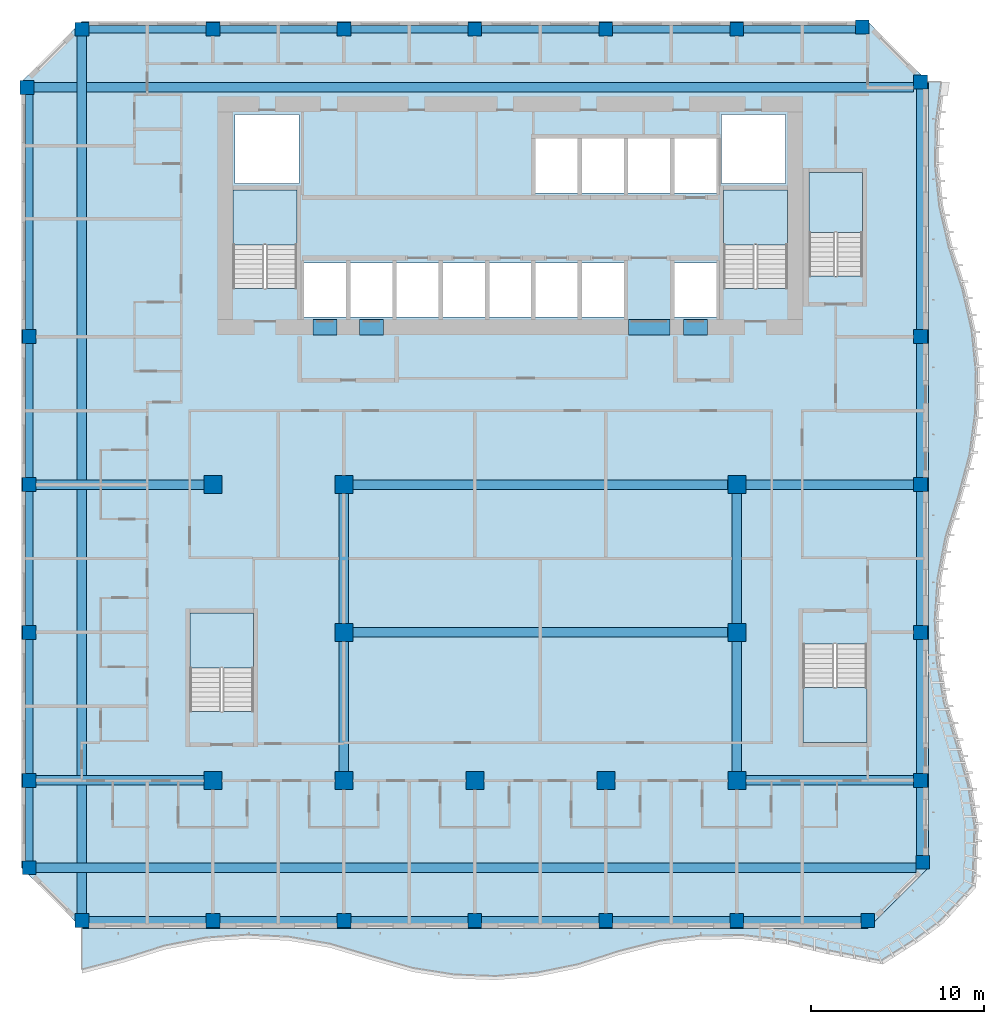
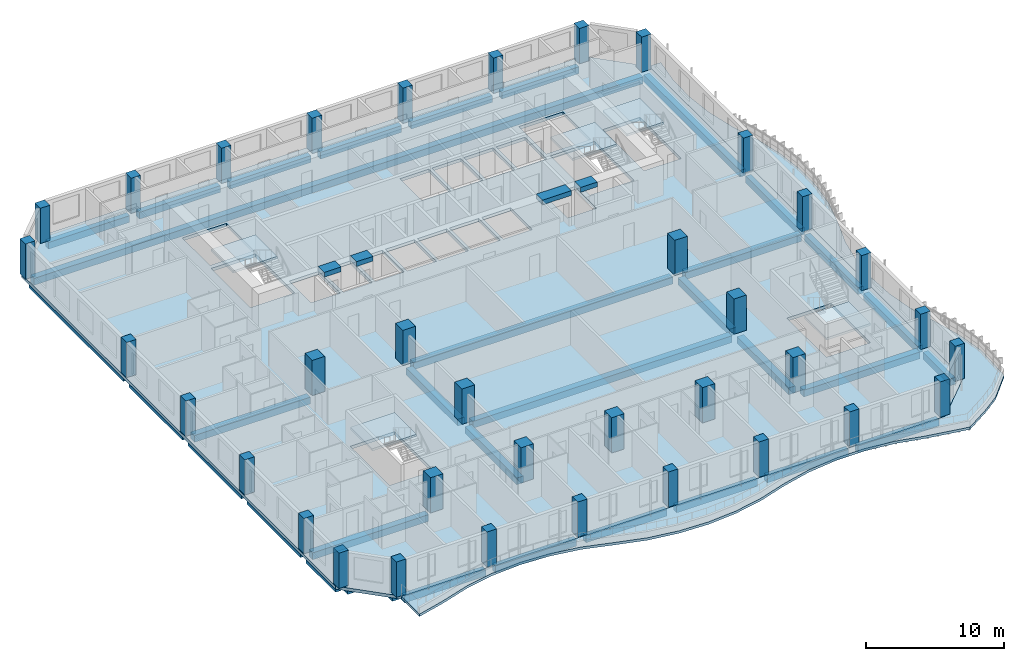
# One storey, part 1 of 24: 39 beams, 36 columns, 7 slabs, 5 elements without a shape of their own.
"""IFC4 building model written with IfcOpenShell, lengths in metres."""

from ifc_helpers import new_model, si_unit, direction, frame, origin, origin_2d, place, context, subcontext, project, spatial, polyline, rectangle, outline, extrude, source, transform, mapped, material, layer, layer_set, material_profile, profile_set, type_object, element, aggregate, save


model = new_model("IFC4")

# Units and contexts
model_context = context("Model", 3, precision=1e-05, world=origin(), true_north=direction((0.0, 1.0)))
body_context = subcontext(model_context, "Body", "Model", "MODEL_VIEW")
ifc_project = project(units=[si_unit("LENGTHUNIT", "METRE"), si_unit("AREAUNIT", "SQUARE_METRE"), si_unit("VOLUMEUNIT", "CUBIC_METRE"), si_unit("PLANEANGLEUNIT", "RADIAN"), si_unit("MASSUNIT", "GRAM", prefix="KILO")], contexts=[model_context])

# Site, building, storey
site_placement = place(None, origin())
site = spatial("IfcSite", under=ifc_project, at=site_placement, CompositionType="ELEMENT")
building_placement = place(site_placement, origin())
building = spatial("IfcBuilding", under=site, at=building_placement, Name="Kilnfold Tower and Market Hall", CompositionType="ELEMENT")
storey_placement = place(building_placement, frame((0.0, 0.0, 175.300048828125)))
storey = spatial("IfcBuildingStorey", under=building, at=storey_placement, Name="L41", CompositionType="ELEMENT", Elevation=175.300048828125)

# Columns
ifc_material_1 = material(Name="Concrete C70", Category="concrete")
ifc_material_profile_1 = material_profile(ifc_material_1, rectangle(XDim=0.800048828125, YDim=0.800048828125, at=origin_2d()), Name="RC 800x800")
ifc_profile_set_1 = profile_set([ifc_material_profile_1], Name="Concrete C70")
column_type_1 = type_object("IfcColumnType", Name="COLUMN 800X800 C70", PredefinedType="COLUMN", material=ifc_profile_set_1)
shared_shape_1 = source(origin(), body_context, "Body", "SweptSolid", [
    extrude(rectangle(XDim=0.800048828125, YDim=0.800048828125, at=origin_2d()), origin(), (0.0, 0.0, 1.0), 3.119873046875),
])
for number, where, z_axis, x_axis, name in (
    (1, (-26.931884765625, 22.431884765625, 0.0), (0.0, 0.0, 1.0), (1.0, 0.0, 0.0), "Column C-B5-1H"),
    (2, (-26.800048828125, -22.75, 0.0), (0.0, 0.0, 1.0), (1.0, 0.0, 0.0), "Column C-B5-1B"),
    (3, (-26.800048828125, -17.6875, 0.0), (0.0, 0.0, 1.0), (1.0, 0.0, 0.0), "Column C-B5-1C"),
    (4, (-26.800048828125, -9.125, 0.0), (0.0, 0.0, 1.0), (1.0, 0.0, 0.0), "Column C-B5-1D"),
    (5, (-26.800048828125, -0.5625, 0.0), (0.0, 0.0, 1.0), (1.0, 0.0, 0.0), "Column C-B5-1E"),
    (6, (-26.800048828125, 8.0, 0.0), (0.0, 0.0, 1.0), (1.0, 0.0, 0.0), "Column C-B5-1F"),
    (7, (-23.75, -25.800048828125, 0.0), (0.0, 0.0, 1.0), (1.0, 0.0, 0.0), "Column C-B5-2A"),
    (8, (-23.75, 25.800048828125, 0.0), (0.0, 0.0, 1.0), (1.0, 0.0, 0.0), "Column C-B5-2I"),
    (9, (-16.166748046875, -25.800048828125, 0.0), (0.0, 0.0, 1.0), (1.0, 0.0, 0.0), "Column C-B5-3A"),
    (10, (-16.166748046875, 25.800048828125, 0.0), (0.0, 0.0, 1.0), (1.0, 0.0, 0.0), "Column C-B5-3I"),
    (11, (-8.583251953125, -25.800048828125, 0.0), (0.0, 0.0, 1.0), (1.0, 0.0, 0.0), "Column C-B5-4A"),
    (12, (-8.583251953125, 25.800048828125, 0.0), (0.0, 0.0, 1.0), (1.0, 0.0, 0.0), "Column C-B5-4I"),
    (13, (-1.0, -25.800048828125, 0.0), (0.0, 0.0, 1.0), (1.0, 0.0, 0.0), "Column C-B5-5A"),
    (14, (-1.0, 25.800048828125, 0.0), (0.0, 0.0, 1.0), (1.0, 0.0, 0.0), "Column C-B5-5I"),
    (15, (6.583251953125, -25.800048828125, 0.0), (0.0, 0.0, 1.0), (1.0, 0.0, 0.0), "Column C-B5-6A"),
    (16, (6.583251953125, 25.800048828125, 0.0), (0.0, 0.0, 1.0), (1.0, 0.0, 0.0), "Column C-B5-6I"),
    (17, (14.166748046875, -25.800048828125, 0.0), (0.0, 0.0, 1.0), (1.0, 0.0, 0.0), "Column C-B5-7A"),
    (18, (14.166748046875, 25.800048828125, 0.0), (0.0, 0.0, 1.0), (1.0, 0.0, 0.0), "Column C-B5-7I"),
    (19, (21.431884765625, 25.931884765625, 0.0), (0.0, 0.0, 1.0), (1.0, 0.0, 0.0), "Column C-B5-8I"),
    (20, (21.75, -25.800048828125, 0.0), (0.0, 0.0, 1.0), (1.0, 0.0, 0.0), "Column C-B5-8A"),
    (21, (24.800048828125, -17.6875, 0.0), (0.0, 0.0, 1.0), (1.0, 0.0, 0.0), "Column C-B5-9C"),
    (22, (24.800048828125, -9.125, 0.0), (0.0, 0.0, 1.0), (1.0, 0.0, 0.0), "Column C-B5-9D"),
    (23, (24.800048828125, -0.5625, 0.0), (0.0, 0.0, 1.0), (1.0, 0.0, 0.0), "Column C-B5-9E"),
    (24, (24.800048828125, 8.0, 0.0), (0.0, 0.0, 1.0), (1.0, 0.0, 0.0), "Column C-B5-9F"),
    (25, (24.800048828125, 22.75, 0.0), (0.0, 0.0, 1.0), (1.0, 0.0, 0.0), "Column C-B5-9H"),
    (26, (24.931884765625, -22.431884765625, 0.0), (0.0, 0.0, 1.0), (1.0, 0.0, 0.0), "Column C-B5-9B"),
):
    element("IfcColumn", number, at=place(storey_placement, frame(where, z_axis=z_axis, x_axis=x_axis)), inside=storey, type_object=column_type_1, Name=name, PredefinedType="COLUMN", context=body_context, shape_type="MappedRepresentation", body=[
        mapped(shared_shape_1, transform((0.0, 0.0, 0.0))),
    ])
ifc_material_2 = material(Name="Concrete C70", Category="concrete")
ifc_material_profile_2 = material_profile(ifc_material_2, rectangle(XDim=1.050048828125, YDim=1.050048828125, at=origin_2d()), Name="RC 1050x1050")
ifc_profile_set_2 = profile_set([ifc_material_profile_2], Name="Concrete C70")
column_type_2 = type_object("IfcColumnType", Name="COLUMN 1050X1050 C70", PredefinedType="COLUMN", material=ifc_profile_set_2)
shared_shape_2 = source(origin(), body_context, "Body", "SweptSolid", [
    extrude(rectangle(XDim=1.050048828125, YDim=1.050048828125, at=origin_2d()), origin(), (0.0, 0.0, 1.0), 3.119873046875),
])
for number, where, z_axis, x_axis, name in (
    (27, (-16.166748046875, -17.6875, 0.0), (0.0, 0.0, 1.0), (1.0, 0.0, 0.0), "Column C-B5-3C"),
    (28, (-16.166748046875, -0.5625, 0.0), (0.0, 0.0, 1.0), (1.0, 0.0, 0.0), "Column C-B5-3E"),
    (29, (-8.583251953125, -17.6875, 0.0), (0.0, 0.0, 1.0), (1.0, 0.0, 0.0), "Column C-B5-4C"),
    (30, (-8.583251953125, -9.125, 0.0), (0.0, 0.0, 1.0), (1.0, 0.0, 0.0), "Column C-B5-4D"),
    (31, (-8.583251953125, -0.5625, 0.0), (0.0, 0.0, 1.0), (1.0, 0.0, 0.0), "Column C-B5-4E"),
    (32, (-1.0, -17.6875, 0.0), (0.0, 0.0, 1.0), (1.0, 0.0, 0.0), "Column C-B5-5C"),
    (33, (6.583251953125, -17.6875, 0.0), (0.0, 0.0, 1.0), (1.0, 0.0, 0.0), "Column C-B5-6C"),
    (34, (14.166748046875, -17.6875, 0.0), (0.0, 0.0, 1.0), (1.0, 0.0, 0.0), "Column C-B5-7C"),
    (35, (14.166748046875, -9.125, 0.0), (0.0, 0.0, 1.0), (1.0, 0.0, 0.0), "Column C-B5-7D"),
    (36, (14.166748046875, -0.5625, 0.0), (0.0, 0.0, 1.0), (1.0, 0.0, 0.0), "Column C-B5-7E"),
):
    element("IfcColumn", number, at=place(storey_placement, frame(where, z_axis=z_axis, x_axis=x_axis)), inside=storey, type_object=column_type_2, Name=name, PredefinedType="COLUMN", context=body_context, shape_type="MappedRepresentation", body=[
        mapped(shared_shape_2, transform((0.0, 0.0, 0.0))),
    ])

# Beams
ifc_material_3 = material(Name="Concrete C70", Category="concrete")
ifc_material_profile_3 = material_profile(ifc_material_3, rectangle(XDim=0.89990234375, YDim=0.419921875, at=origin_2d()), Name="RC 900x420")
ifc_profile_set_3 = profile_set([ifc_material_profile_3], Name="Concrete C70")
beam_type_1 = type_object("IfcBeamType", Name="COUPLING BEAM 900X420 C70", PredefinedType="BEAM", material=ifc_profile_set_3)
shared_shape_3 = source(origin(), body_context, "Body", "SweptSolid", [
    extrude(rectangle(XDim=0.89990234375, YDim=0.419921875, at=origin_2d()), origin(), (0.0, 0.0, 1.0), 1.400146484375),
])
beam_1_placement = place(storey_placement, frame((-10.3701171875, 8.550048828125, 2.909912109375), z_axis=(1.0, 0.0, 0.0), x_axis=(0.0, 1.0, 0.0)))
element("IfcBeam", 37, at=beam_1_placement, inside=storey, type_object=beam_type_1, Name="Coupling beam CB420-70-CORE.37", PredefinedType="BEAM", context=body_context, shape_type="MappedRepresentation", body=[
    mapped(shared_shape_3, transform((0.0, 0.0, 0.0))),
])
shared_shape_4 = source(origin(), body_context, "Body", "SweptSolid", [
    extrude(rectangle(XDim=0.89990234375, YDim=0.419921875, at=origin_2d()), origin(), (0.0, 0.0, 1.0), 1.39990234375),
])
for number, where, z_axis, x_axis, name in (
    (38, (-7.68994140625, 8.550048828125, 2.909912109375), (1.0, 0.0, 0.0), (0.0, 1.0, 0.0), "Coupling beam CB420-70-CORE.38"),
    (39, (11.070068359375, 8.550048828125, 2.909912109375), (1.0, 0.0, 0.0), (0.0, 1.0, 0.0), "Coupling beam CB420-70-CORE.40"),
):
    element("IfcBeam", number, at=place(storey_placement, frame(where, z_axis=z_axis, x_axis=x_axis)), inside=storey, type_object=beam_type_1, Name=name, PredefinedType="BEAM", context=body_context, shape_type="MappedRepresentation", body=[
        mapped(shared_shape_4, transform((0.0, 0.0, 0.0))),
    ])
shared_shape_5 = source(origin(), body_context, "Body", "SweptSolid", [
    extrude(rectangle(XDim=0.89990234375, YDim=0.419921875, at=origin_2d()), origin(), (0.0, 0.0, 1.0), 2.400146484375),
])
beam_2_placement = place(storey_placement, frame((7.889892578125, 8.550048828125, 2.909912109375), z_axis=(1.0, 0.0, 0.0), x_axis=(0.0, 1.0, 0.0)))
element("IfcBeam", 40, at=beam_2_placement, inside=storey, type_object=beam_type_1, Name="Coupling beam CB420-70-CORE.39", PredefinedType="BEAM", context=body_context, shape_type="MappedRepresentation", body=[
    mapped(shared_shape_5, transform((0.0, 0.0, 0.0))),
])
ifc_material_4 = material(Name="Concrete C45", Category="concrete")
ifc_material_profile_4 = material_profile(ifc_material_4, rectangle(XDim=0.449951171875, YDim=0.60009765625, at=origin_2d()), Name="RC 450x600")
ifc_profile_set_4 = profile_set([ifc_material_profile_4], Name="Concrete C45")
beam_type_2 = type_object("IfcBeamType", Name="EDGE BEAM 450X600 C45", PredefinedType="BEAM", material=ifc_profile_set_4)
shared_shape_6 = source(origin(), body_context, "Body", "SweptSolid", [
    extrude(rectangle(XDim=0.449951171875, YDim=0.60009765625, at=origin_2d()), origin(), (0.0, 0.0, 1.0), 6.783447265625),
])
for number, where, z_axis, x_axis, name in (
    (41, (-23.35009765625, -25.800048828125, -0.580078125), (1.0, 0.0, 0.0), (0.0, 1.0, 0.0), "Beam EB600-B5.45"),
    (42, (-8.183349609375, -25.800048828125, -0.580078125), (1.0, 0.0, 0.0), (0.0, 1.0, 0.0), "Beam EB600-B5.47"),
    (43, (-0.60009765625, -25.800048828125, -0.580078125), (1.0, 0.0, 0.0), (0.0, 1.0, 0.0), "Beam EB600-B5.48"),
    (44, (14.566650390625, -25.800048828125, -0.580078125), (1.0, 0.0, 0.0), (0.0, 1.0, 0.0), "Beam EB600-B5.50"),
    (45, (-23.35009765625, 25.800048828125, -0.580078125), (1.0, 0.0, 0.0), (0.0, 1.0, 0.0), "Beam EB600-B5.59"),
    (46, (-8.183349609375, 25.800048828125, -0.580078125), (1.0, 0.0, 0.0), (0.0, 1.0, 0.0), "Beam EB600-B5.61"),
    (47, (-0.60009765625, 25.800048828125, -0.580078125), (1.0, 0.0, 0.0), (0.0, 1.0, 0.0), "Beam EB600-B5.62"),
):
    element("IfcBeam", number, at=place(storey_placement, frame(where, z_axis=z_axis, x_axis=x_axis)), inside=storey, type_object=beam_type_2, Name=name, PredefinedType="BEAM", context=body_context, shape_type="MappedRepresentation", body=[
        mapped(shared_shape_6, transform((0.0, 0.0, 0.0))),
    ])
shared_shape_7 = source(origin(), body_context, "Body", "SweptSolid", [
    extrude(rectangle(XDim=0.449951171875, YDim=0.60009765625, at=origin_2d()), origin(), (0.0, 0.0, 1.0), 6.783203125),
])
for number, where, z_axis, x_axis, name in (
    (48, (-15.7666015625, -25.800048828125, -0.580078125), (1.0, 0.0, 0.0), (0.0, 1.0, 0.0), "Beam EB600-B5.46"),
    (49, (6.9833984375, -25.800048828125, -0.580078125), (1.0, 0.0, 0.0), (0.0, 1.0, 0.0), "Beam EB600-B5.49"),
    (50, (-15.7666015625, 25.800048828125, -0.580078125), (1.0, 0.0, 0.0), (0.0, 1.0, 0.0), "Beam EB600-B5.60"),
    (51, (6.9833984375, 25.800048828125, -0.580078125), (1.0, 0.0, 0.0), (0.0, 1.0, 0.0), "Beam EB600-B5.63"),
):
    element("IfcBeam", number, at=place(storey_placement, frame(where, z_axis=z_axis, x_axis=x_axis)), inside=storey, type_object=beam_type_2, Name=name, PredefinedType="BEAM", context=body_context, shape_type="MappedRepresentation", body=[
        mapped(shared_shape_7, transform((0.0, 0.0, 0.0))),
    ])
ifc_material_5 = material(Name="Concrete C45", Category="concrete")
ifc_material_profile_5 = material_profile(ifc_material_5, rectangle(XDim=0.550048828125, YDim=0.60009765625, at=origin_2d()), Name="RC 550x600")
ifc_profile_set_5 = profile_set([ifc_material_profile_5], Name="Concrete C45")
beam_type_3 = type_object("IfcBeamType", Name="BEAM 550X600 C45", PredefinedType="BEAM", material=ifc_profile_set_5)
shared_shape_8 = source(origin(), body_context, "Body", "SweptSolid", [
    extrude(rectangle(XDim=0.550048828125, YDim=0.60009765625, at=origin_2d()), origin(), (0.0, 0.0, 1.0), 50.931640625),
])
for number, where, z_axis, x_axis, name in (
    (52, (-26.39990234375, -22.75, -0.580078125), (1.0, 0.0, 0.0), (0.0, 1.0, 0.0), "Beam BB600-B5.51"),
    (53, (-26.53173828125, 22.429931640625, -0.580078125), (1.0, 0.0, 0.0), (0.0, 1.0, 0.0), "Beam BB600-B5.58"),
):
    element("IfcBeam", number, at=place(storey_placement, frame(where, z_axis=z_axis, x_axis=x_axis)), inside=storey, type_object=beam_type_3, Name=name, PredefinedType="BEAM", context=body_context, shape_type="MappedRepresentation", body=[
        mapped(shared_shape_8, transform((0.0, 0.0, 0.0))),
    ])
shared_shape_9 = source(origin(), body_context, "Body", "SweptSolid", [
    extrude(rectangle(XDim=0.449951171875, YDim=0.60009765625, at=origin_2d()), origin(), (0.0, 0.0, 1.0), 6.465087890625),
])
beam_3_placement = place(storey_placement, frame((14.566650390625, 25.800048828125, -0.580078125), z_axis=(1.0, 0.0, 0.0), x_axis=(0.0, 1.0, 0.0)))
element("IfcBeam", 54, at=beam_3_placement, inside=storey, type_object=beam_type_2, Name="Beam EB600-B5.64", PredefinedType="BEAM", context=body_context, shape_type="MappedRepresentation", body=[
    mapped(shared_shape_9, transform((0.0, 0.0, 0.0))),
])
shared_shape_10 = source(origin(), body_context, "Body", "SweptSolid", [
    extrude(rectangle(XDim=0.550048828125, YDim=0.60009765625, at=origin_2d()), origin(), (0.0, 0.0, 1.0), 50.7998046875),
])
beam_4_placement = place(storey_placement, frame((-23.75, -25.39990234375, -0.580078125), z_axis=(0.0, 1.0, 0.0), x_axis=(-1.0, 0.0, 0.0)))
element("IfcBeam", 55, at=beam_4_placement, inside=storey, type_object=beam_type_3, Name="Beam BB600-B5.70", PredefinedType="BEAM", context=body_context, shape_type="MappedRepresentation", body=[
    mapped(shared_shape_10, transform((0.0, 0.0, 0.0))),
])
shared_shape_11 = source(origin(), body_context, "Body", "SweptSolid", [
    extrude(rectangle(XDim=0.550048828125, YDim=0.60009765625, at=origin_2d()), origin(), (0.0, 0.0, 1.0), 9.708251953125),
])
for number, where, z_axis, x_axis, name in (
    (56, (-26.39990234375, -17.68994140625, -0.580078125), (1.0, 0.0, 0.0), (0.0, 1.0, 0.0), "Beam BB600-B5.52"),
    (57, (14.691650390625, -17.68994140625, -0.580078125), (1.0, 0.0, 0.0), (0.0, 1.0, 0.0), "Beam BB600-B5.53"),
    (58, (-26.39990234375, -0.56005859375, -0.580078125), (1.0, 0.0, 0.0), (0.0, 1.0, 0.0), "Beam BB600-B5.55"),
    (59, (14.691650390625, -0.56005859375, -0.580078125), (1.0, 0.0, 0.0), (0.0, 1.0, 0.0), "Beam BB600-B5.57"),
):
    element("IfcBeam", number, at=place(storey_placement, frame(where, z_axis=z_axis, x_axis=x_axis)), inside=storey, type_object=beam_type_3, Name=name, PredefinedType="BEAM", context=body_context, shape_type="MappedRepresentation", body=[
        mapped(shared_shape_11, transform((0.0, 0.0, 0.0))),
    ])
shared_shape_12 = source(origin(), body_context, "Body", "SweptSolid", [
    extrude(rectangle(XDim=0.550048828125, YDim=0.60009765625, at=origin_2d()), origin(), (0.0, 0.0, 1.0), 21.699951171875),
])
for number, where, z_axis, x_axis, name in (
    (60, (-8.058349609375, -9.1201171875, -0.580078125), (1.0, 0.0, 0.0), (0.0, 1.0, 0.0), "Beam BB600-B5.54"),
    (61, (-8.058349609375, -0.56005859375, -0.580078125), (1.0, 0.0, 0.0), (0.0, 1.0, 0.0), "Beam BB600-B5.56"),
):
    element("IfcBeam", number, at=place(storey_placement, frame(where, z_axis=z_axis, x_axis=x_axis)), inside=storey, type_object=beam_type_3, Name=name, PredefinedType="BEAM", context=body_context, shape_type="MappedRepresentation", body=[
        mapped(shared_shape_12, transform((0.0, 0.0, 0.0))),
    ])
shared_shape_13 = source(origin(), body_context, "Body", "SweptSolid", [
    extrude(rectangle(XDim=0.449951171875, YDim=0.60009765625, at=origin_2d()), origin(), (0.0, 0.0, 1.0), 4.2626953125),
])
beam_5_placement = place(storey_placement, frame((-26.800048828125, -22.35009765625, -0.580078125), z_axis=(0.0, 1.0, 0.0), x_axis=(-1.0, 0.0, 0.0)))
element("IfcBeam", 62, at=beam_5_placement, inside=storey, type_object=beam_type_2, Name="Beam EB600-B5.65", PredefinedType="BEAM", context=body_context, shape_type="MappedRepresentation", body=[
    mapped(shared_shape_13, transform((0.0, 0.0, 0.0))),
])
shared_shape_14 = source(origin(), body_context, "Body", "SweptSolid", [
    extrude(rectangle(XDim=0.449951171875, YDim=0.60009765625, at=origin_2d()), origin(), (0.0, 0.0, 1.0), 7.7626953125),
])
for number, where, z_axis, x_axis, name in (
    (63, (-26.800048828125, -17.28759765625, -0.580078125), (0.0, 1.0, 0.0), (-1.0, 0.0, 0.0), "Beam EB600-B5.66"),
    (64, (-26.800048828125, -8.72509765625, -0.580078125), (0.0, 1.0, 0.0), (-1.0, 0.0, 0.0), "Beam EB600-B5.67"),
    (65, (-26.800048828125, -0.16259765625, -0.580078125), (0.0, 1.0, 0.0), (-1.0, 0.0, 0.0), "Beam EB600-B5.68"),
    (66, (24.800048828125, -17.28759765625, -0.580078125), (0.0, 1.0, 0.0), (-1.0, 0.0, 0.0), "Beam EB600-B5.76"),
    (67, (24.800048828125, -8.72509765625, -0.580078125), (0.0, 1.0, 0.0), (-1.0, 0.0, 0.0), "Beam EB600-B5.77"),
    (68, (24.800048828125, -0.16259765625, -0.580078125), (0.0, 1.0, 0.0), (-1.0, 0.0, 0.0), "Beam EB600-B5.78"),
):
    element("IfcBeam", number, at=place(storey_placement, frame(where, z_axis=z_axis, x_axis=x_axis)), inside=storey, type_object=beam_type_2, Name=name, PredefinedType="BEAM", context=body_context, shape_type="MappedRepresentation", body=[
        mapped(shared_shape_14, transform((0.0, 0.0, 0.0))),
    ])
shared_shape_15 = source(origin(), body_context, "Body", "SweptSolid", [
    extrude(rectangle(XDim=0.449951171875, YDim=0.60009765625, at=origin_2d()), origin(), (0.0, 0.0, 1.0), 13.6318359375),
])
beam_6_placement = place(storey_placement, frame((-26.800048828125, 8.39990234375, -0.580078125), z_axis=(0.0, 1.0, 0.0), x_axis=(-1.0, 0.0, 0.0)))
element("IfcBeam", 69, at=beam_6_placement, inside=storey, type_object=beam_type_2, Name="Beam EB600-B5.69", PredefinedType="BEAM", context=body_context, shape_type="MappedRepresentation", body=[
    mapped(shared_shape_15, transform((0.0, 0.0, 0.0))),
])
shared_shape_16 = source(origin(), body_context, "Body", "SweptSolid", [
    extrude(rectangle(XDim=0.550048828125, YDim=0.60009765625, at=origin_2d()), origin(), (0.0, 0.0, 1.0), 7.5126953125),
])
for number, where, z_axis, x_axis, name in (
    (70, (-8.580078125, -17.16259765625, -0.580078125), (0.0, 1.0, 0.0), (-1.0, 0.0, 0.0), "Beam BB600-B5.71"),
    (71, (-8.580078125, -8.60009765625, -0.580078125), (0.0, 1.0, 0.0), (-1.0, 0.0, 0.0), "Beam BB600-B5.72"),
    (72, (14.169921875, -17.16259765625, -0.580078125), (0.0, 1.0, 0.0), (-1.0, 0.0, 0.0), "Beam BB600-B5.73"),
    (73, (14.169921875, -8.60009765625, -0.580078125), (0.0, 1.0, 0.0), (-1.0, 0.0, 0.0), "Beam BB600-B5.74"),
):
    element("IfcBeam", number, at=place(storey_placement, frame(where, z_axis=z_axis, x_axis=x_axis)), inside=storey, type_object=beam_type_3, Name=name, PredefinedType="BEAM", context=body_context, shape_type="MappedRepresentation", body=[
        mapped(shared_shape_16, transform((0.0, 0.0, 0.0))),
    ])
shared_shape_17 = source(origin(), body_context, "Body", "SweptSolid", [
    extrude(rectangle(XDim=0.449951171875, YDim=0.60009765625, at=origin_2d()), origin(), (0.0, 0.0, 1.0), 3.9443359375),
])
beam_7_placement = place(storey_placement, frame((24.800048828125, -22.03173828125, -0.580078125), z_axis=(0.0, 1.0, 0.0), x_axis=(-1.0, 0.0, 0.0)))
element("IfcBeam", 74, at=beam_7_placement, inside=storey, type_object=beam_type_2, Name="Beam EB600-B5.75", PredefinedType="BEAM", context=body_context, shape_type="MappedRepresentation", body=[
    mapped(shared_shape_17, transform((0.0, 0.0, 0.0))),
])
shared_shape_18 = source(origin(), body_context, "Body", "SweptSolid", [
    extrude(rectangle(XDim=0.449951171875, YDim=0.60009765625, at=origin_2d()), origin(), (0.0, 0.0, 1.0), 13.9501953125),
])
beam_8_placement = place(storey_placement, frame((24.800048828125, 8.39990234375, -0.580078125), z_axis=(0.0, 1.0, 0.0), x_axis=(-1.0, 0.0, 0.0)))
element("IfcBeam", 75, at=beam_8_placement, inside=storey, type_object=beam_type_2, Name="Beam EB600-B5.79", PredefinedType="BEAM", context=body_context, shape_type="MappedRepresentation", body=[
    mapped(shared_shape_18, transform((0.0, 0.0, 0.0))),
])

# Slabs
ifc_material_6 = material(Name="Concrete C45", Category="concrete")
ifc_layer_1 = layer(ifc_material_6, 0.280029296875)
ifc_layer_set_1 = layer_set([ifc_layer_1], Name="Concrete C45")
slab_type_1 = type_object("IfcSlabType", Name="FLOOR SLAB 280", PredefinedType="FLOOR", material=ifc_layer_set_1)
shared_shape_19 = source(origin(), body_context, "Body", "SweptSolid", [
    extrude(outline(polyline([(-23.75, -26.25), (21.75, -26.25), (25.25, -22.75), (25.25, 22.75), (21.75, 26.25), (-23.75, 26.25), (-27.25, 22.75), (-27.25, -22.75), (-23.75, -26.25)]), holes=[polyline([(-13.800537109375, -13.699462890625), (-17.49951171875, -13.699462890625), (-17.49951171875, -8.00048828125), (-13.800537109375, -8.00048828125), (-13.800537109375, -13.699462890625)]), polyline([(-14.99951171875, 10.800537109375), (-14.99951171875, 16.49951171875), (-11.300537109375, 16.49951171875), (-11.300537109375, 10.800537109375), (-14.99951171875, 10.800537109375)]), polyline([(-11.175048828125, 16.875), (-14.875, 16.875), (-14.875, 20.875), (-11.175048828125, 20.875), (-11.175048828125, 16.875)]), polyline([(-8.455078125, 9.125), (-10.885009765625, 9.125), (-10.885009765625, 12.27490234375), (-8.455078125, 12.27490234375), (-8.455078125, 9.125)]), polyline([(-5.77490234375, 9.125), (-8.205078125, 9.125), (-8.205078125, 12.27490234375), (-5.77490234375, 12.27490234375), (-5.77490234375, 9.125)]), polyline([(-3.094970703125, 9.125), (-5.52490234375, 9.125), (-5.52490234375, 12.27490234375), (-3.094970703125, 12.27490234375), (-3.094970703125, 9.125)]), polyline([(-0.4150390625, 9.125), (-2.844970703125, 9.125), (-2.844970703125, 12.27490234375), (-0.4150390625, 12.27490234375), (-0.4150390625, 9.125)]), polyline([(2.264892578125, 9.125), (-0.1650390625, 9.125), (-0.1650390625, 12.27490234375), (2.264892578125, 12.27490234375), (2.264892578125, 9.125)]), polyline([(4.945068359375, 9.125), (2.514892578125, 9.125), (2.514892578125, 12.27490234375), (4.945068359375, 12.27490234375), (4.945068359375, 9.125)]), polyline([(2.514892578125, 16.324951171875), (2.514892578125, 19.47509765625), (4.945068359375, 19.47509765625), (4.945068359375, 16.324951171875), (2.514892578125, 16.324951171875)]), polyline([(7.625, 9.125), (5.195068359375, 9.125), (5.195068359375, 12.27490234375), (7.625, 12.27490234375), (7.625, 9.125)]), polyline([(7.625, 16.324951171875), (5.195068359375, 16.324951171875), (5.195068359375, 19.47509765625), (7.625, 19.47509765625), (7.625, 16.324951171875)]), polyline([(10.304931640625, 16.324951171875), (7.875, 16.324951171875), (7.875, 19.47509765625), (10.304931640625, 19.47509765625), (10.304931640625, 16.324951171875)]), polyline([(10.554931640625, 9.125), (10.554931640625, 12.27490234375), (12.985107421875, 12.27490234375), (12.985107421875, 9.125), (10.554931640625, 9.125)]), polyline([(10.554931640625, 16.324951171875), (10.554931640625, 19.47509765625), (12.985107421875, 19.47509765625), (12.985107421875, 16.324951171875), (10.554931640625, 16.324951171875)]), polyline([(13.27490234375, 16.875), (13.27490234375, 20.875), (16.97509765625, 20.875), (16.97509765625, 16.875), (13.27490234375, 16.875)]), polyline([(13.400390625, 10.800537109375), (13.400390625, 16.49951171875), (17.099609375, 16.49951171875), (17.099609375, 10.800537109375), (13.400390625, 10.800537109375)]), polyline([(18.00048828125, -9.800537109375), (21.699462890625, -9.800537109375), (21.699462890625, -15.49951171875), (18.00048828125, -15.49951171875), (18.00048828125, -9.800537109375)]), polyline([(21.449462890625, 11.50048828125), (18.3505859375, 11.50048828125), (18.3505859375, 17.49951171875), (21.449462890625, 17.49951171875), (21.449462890625, 11.50048828125)])]), origin(), (0.0, 0.0, 1.0), 0.280029296875),
])
slab_1_placement = place(storey_placement, frame((0.0, 0.0, -0.280029296875)))
element("IfcSlab", 76, at=slab_1_placement, inside=storey, type_object=slab_type_1, Name="Floor slab L41", PredefinedType="FLOOR", context=body_context, shape_type="MappedRepresentation", body=[
    mapped(shared_shape_19, transform((0.0, 0.0, 0.0))),
])
ifc_material_7 = material(Name="Concrete C40/50", Category="concrete")
ifc_layer_2 = layer(ifc_material_7, 0.219970703125)
ifc_layer_set_2 = layer_set([ifc_layer_2], Name="Concrete C40/50")
slab_type_2 = type_object("IfcSlabType", Name="BALCONY SLAB 220", PredefinedType="FLOOR", material=ifc_layer_set_2)
shared_shape_20 = source(origin(), body_context, "Body", "SweptSolid", [
    extrude(outline(polyline([(-23.75, -26.25), (21.75, -26.25), (25.25, -22.75), (25.25, 22.75), (26.23388671875, 22.75), (25.907470703125, 20.355224609375), (25.868896484375, 17.96044921875), (26.116455078125, 15.56591796875), (26.6611328125, 13.171142578125), (27.442626953125, 10.7763671875), (27.985595703125, 8.381591796875), (28.231689453125, 5.98681640625), (28.191650390625, 3.592041015625), (27.863525390625, 1.197509765625), (27.23291015625, -1.197509765625), (26.4765625, -3.592041015625), (26.017333984375, -5.98681640625), (25.85107421875, -8.381591796875), (25.969970703125, -10.7763671875), (26.37939453125, -13.171142578125), (27.09716796875, -15.56591796875), (27.780517578125, -17.96044921875), (28.1572265625, -20.355224609375), (28.0166015625, -23.89599609375), (26.126220703125, -25.959716796875), (24.78759765625, -26.954345703125), (22.614990234375, -28.33837890625), (19.355224609375, -27.732177734375), (16.96044921875, -27.156982421875), (14.56591796875, -26.880615234375), (12.171142578125, -26.890869140625), (9.7763671875, -27.188232421875), (7.381591796875, -27.785888671875), (4.98681640625, -28.557861328125), (2.592041015625, -29.048583984375), (0.197509765625, -29.2451171875), (-2.197509765625, -29.156005859375), (-4.592041015625, -28.777587890625), (-6.98681640625, -28.092529296875), (-9.381591796875, -27.376220703125), (-11.7763671875, -26.968505859375), (-14.171142578125, -26.85107421875), (-16.56591796875, -27.01904296875), (-18.96044921875, -27.47998046875), (-21.355224609375, -28.2373046875), (-23.75, -28.8662109375), (-23.75, -26.25)])), origin(), (0.0, 0.0, 1.0), 0.219970703125),
])
slab_2_placement = place(storey_placement, frame((0.0, 0.0, -0.219970703125)))
element("IfcSlab", 77, at=slab_2_placement, inside=storey, type_object=slab_type_2, Name="Balcony slab L41", PredefinedType="FLOOR", context=body_context, shape_type="MappedRepresentation", body=[
    mapped(shared_shape_20, transform((0.0, 0.0, 0.0))),
])

# Stair, slab
ifc_material_8 = material(Name="Concrete C40/50", Category="concrete")
stair_type_1 = type_object("IfcStairType", Name="CORE STAIR 1800", PredefinedType="HALF_TURN_STAIR", material=ifc_material_8)
stair_1_placement = place(storey_placement, origin())
stair_1 = element("IfcStair", 78, at=stair_1_placement, inside=storey, type_object=stair_type_1, Name="L41 ST1", PredefinedType="HALF_TURN_STAIR")
ifc_material_9 = material(Name="Concrete C40/50", Category="concrete")
ifc_layer_3 = layer(ifc_material_9, 0.199951171875)
ifc_layer_set_3 = layer_set([ifc_layer_3], Name="Concrete C40/50")
slab_type_3 = type_object("IfcSlabType", Name="CORE STAIR LANDING 200", PredefinedType="LANDING", material=ifc_layer_set_3)
shared_shape_21 = source(origin(), body_context, "Body", "SweptSolid", [
    extrude(outline(polyline([(-11.300048828125, 13.320068359375), (-11.300048828125, 16.5), (-15.0, 16.5), (-15.0, 13.320068359375), (-11.300048828125, 13.320068359375)])), origin(), (0.0, 0.0, 1.0), 0.199951171875),
])
slab_3_placement = place(storey_placement, frame((0.0, 0.0, 1.5)))
slab_3 = element("IfcSlab", 79, at=slab_3_placement, type_object=slab_type_3, Name="ST1 landing 1", PredefinedType="LANDING", context=body_context, shape_type="MappedRepresentation", body=[
    mapped(shared_shape_21, transform((0.0, 0.0, 0.0))),
])
aggregate(stair_1, [slab_3])

stair_2_placement = place(storey_placement, origin())
stair_2 = element("IfcStair", 80, at=stair_2_placement, inside=storey, type_object=stair_type_1, Name="L41 ST2", PredefinedType="HALF_TURN_STAIR")
shared_shape_22 = source(origin(), body_context, "Body", "SweptSolid", [
    extrude(outline(polyline([(17.10009765625, 13.320068359375), (17.10009765625, 16.5), (13.39990234375, 16.5), (13.39990234375, 13.320068359375), (17.10009765625, 13.320068359375)])), origin(), (0.0, 0.0, 1.0), 0.199951171875),
])
slab_4_placement = place(storey_placement, frame((0.0, 0.0, 1.5)))
slab_4 = element("IfcSlab", 81, at=slab_4_placement, type_object=slab_type_3, Name="ST2 landing 1", PredefinedType="LANDING", context=body_context, shape_type="MappedRepresentation", body=[
    mapped(shared_shape_22, transform((0.0, 0.0, 0.0))),
])
aggregate(stair_2, [slab_4])

stair_3_placement = place(storey_placement, origin())
stair_3 = element("IfcStair", 82, at=stair_3_placement, inside=storey, type_object=stair_type_1, Name="L41 ST3", PredefinedType="HALF_TURN_STAIR")
shared_shape_23 = source(origin(), body_context, "Body", "SweptSolid", [
    extrude(outline(polyline([(-13.800048828125, -11.179931640625), (-13.800048828125, -8.0), (-17.5, -8.0), (-17.5, -11.179931640625), (-13.800048828125, -11.179931640625)])), origin(), (0.0, 0.0, 1.0), 0.199951171875),
])
slab_5_placement = place(storey_placement, frame((0.0, 0.0, 1.5)))
slab_5 = element("IfcSlab", 83, at=slab_5_placement, type_object=slab_type_3, Name="ST3 landing 1", PredefinedType="LANDING", context=body_context, shape_type="MappedRepresentation", body=[
    mapped(shared_shape_23, transform((0.0, 0.0, 0.0))),
])
aggregate(stair_3, [slab_5])

stair_4_placement = place(storey_placement, origin())
stair_4 = element("IfcStair", 84, at=stair_4_placement, inside=storey, type_object=stair_type_1, Name="L41 ST4", PredefinedType="HALF_TURN_STAIR")
shared_shape_24 = source(origin(), body_context, "Body", "SweptSolid", [
    extrude(outline(polyline([(18.0, -12.320068359375), (18.0, -15.5), (21.699951171875, -15.5), (21.699951171875, -12.320068359375), (18.0, -12.320068359375)])), origin(), (0.0, 0.0, 1.0), 0.199951171875),
])
slab_6_placement = place(storey_placement, frame((0.0, 0.0, 1.5)))
slab_6 = element("IfcSlab", 85, at=slab_6_placement, type_object=slab_type_3, Name="ST4 landing 1", PredefinedType="LANDING", context=body_context, shape_type="MappedRepresentation", body=[
    mapped(shared_shape_24, transform((0.0, 0.0, 0.0))),
])
aggregate(stair_4, [slab_6])

ifc_material_10 = material(Name="Concrete C40/50", Category="concrete")
stair_type_2 = type_object("IfcStairType", Name="CORE STAIR 1500", PredefinedType="HALF_TURN_STAIR", material=ifc_material_10)
stair_5_placement = place(storey_placement, origin())
stair_5 = element("IfcStair", 86, at=stair_5_placement, inside=storey, type_object=stair_type_2, Name="L41 ST5", PredefinedType="HALF_TURN_STAIR")
shared_shape_25 = source(origin(), body_context, "Body", "SweptSolid", [
    extrude(outline(polyline([(21.449951171875, 14.02001953125), (21.449951171875, 17.5), (18.35009765625, 17.5), (18.35009765625, 14.02001953125), (21.449951171875, 14.02001953125)])), origin(), (0.0, 0.0, 1.0), 0.199951171875),
])
slab_7_placement = place(storey_placement, frame((0.0, 0.0, 1.5)))
slab_7 = element("IfcSlab", 87, at=slab_7_placement, type_object=slab_type_3, Name="ST5 landing 1", PredefinedType="LANDING", context=body_context, shape_type="MappedRepresentation", body=[
    mapped(shared_shape_25, transform((0.0, 0.0, 0.0))),
])
aggregate(stair_5, [slab_7])

save(model, "model.ifc")
